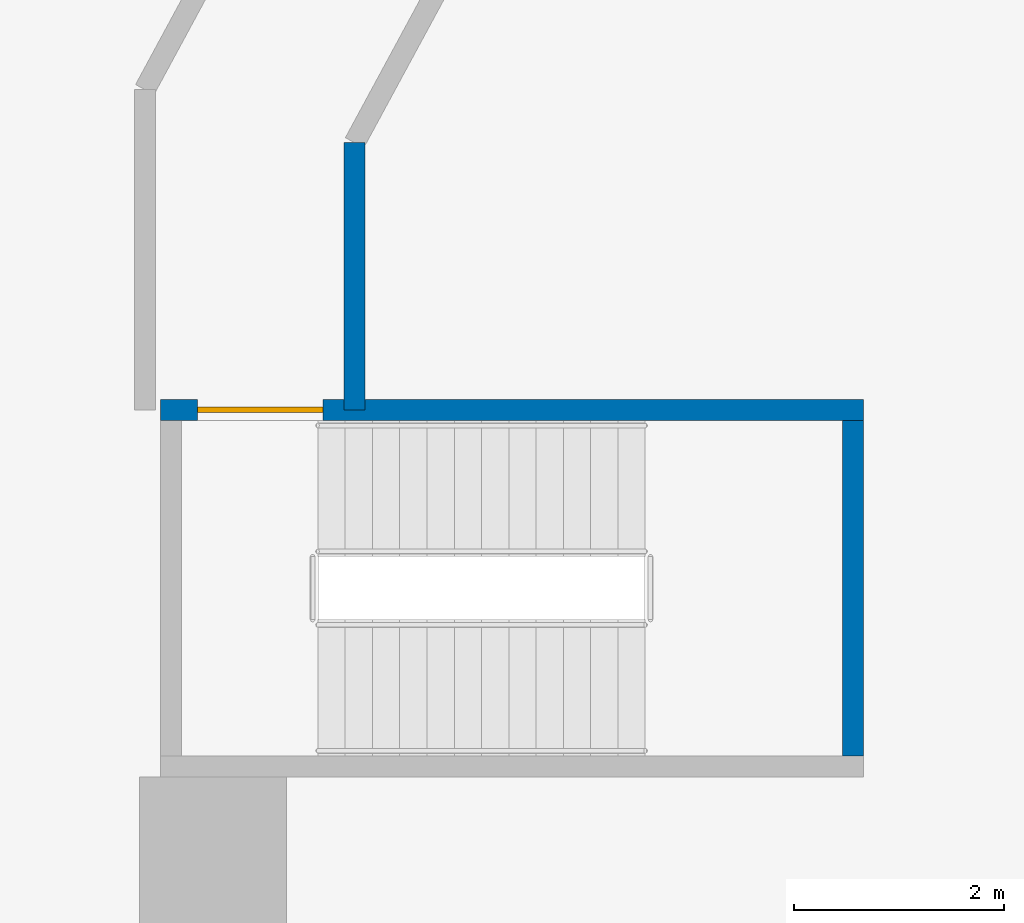
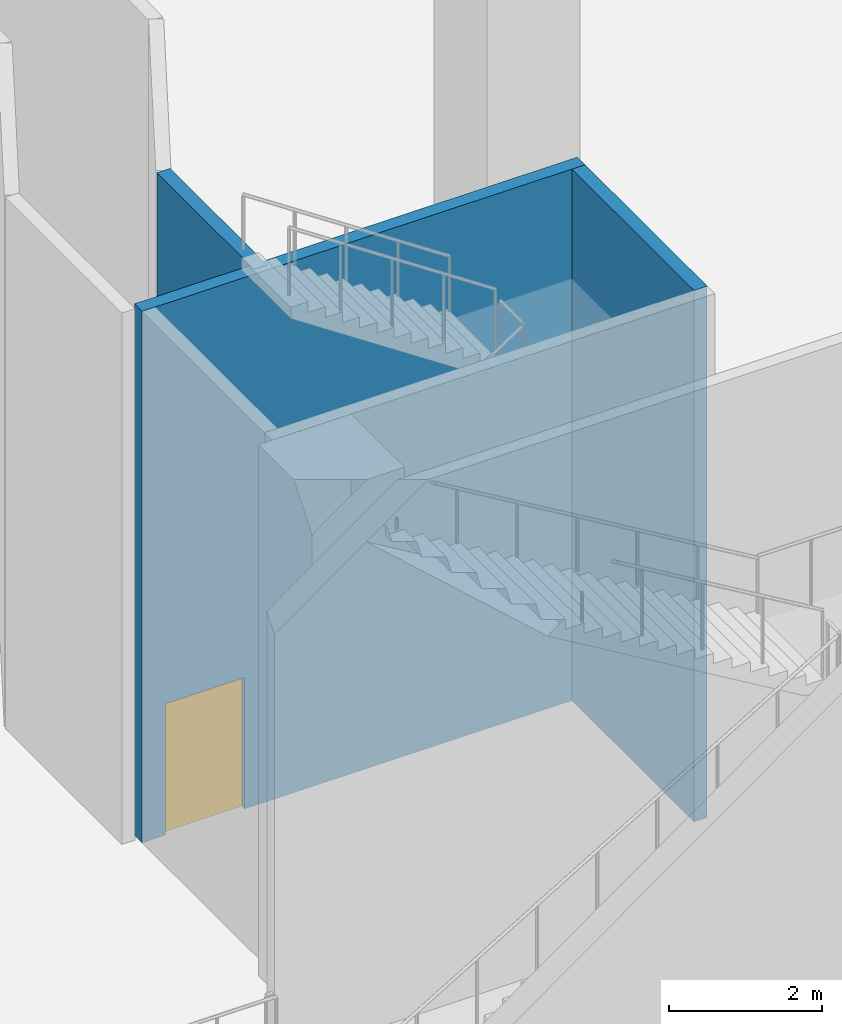
# One storey, part 26 of 54: 3 walls, 1 door, 1 opening.
"""IFC4 building model written with IfcOpenShell, lengths in metres."""

from ifc_helpers import new_model, si_unit, direction, frame, frame_2d, origin, place, context, subcontext, project, spatial, polyline, rectangle, outline, extrude, material, layer, layer_set, type_object, element, fill, save


model = new_model("IFC4")

# Units and contexts
model_context = context("Model", 3, precision=1e-05, world=origin(), true_north=direction((0.0, 1.0)))
body_context = subcontext(model_context, "Body", "Model", "MODEL_VIEW")
ifc_project = project(units=[si_unit("LENGTHUNIT", "METRE"), si_unit("AREAUNIT", "SQUARE_METRE"), si_unit("VOLUMEUNIT", "CUBIC_METRE"), si_unit("PLANEANGLEUNIT", "RADIAN"), si_unit("MASSUNIT", "GRAM", prefix="KILO")], contexts=[model_context])

# Site, building, storey
site_placement = place(None, origin())
site = spatial("IfcSite", under=ifc_project, at=site_placement, CompositionType="ELEMENT")
building_placement = place(site_placement, origin())
building = spatial("IfcBuilding", under=site, at=building_placement, Name="Tamarind Cross Interchange Tower", CompositionType="ELEMENT")
storey_placement = place(building_placement, origin())
storey = spatial("IfcBuildingStorey", under=building, at=storey_placement, Name="L00", CompositionType="ELEMENT", Elevation=0.0)

# Wall
ifc_material_1 = material(Name="Concrete C40", Category="concrete")
ifc_layer_1 = layer(ifc_material_1, 0.199951171875)
ifc_layer_set_1 = layer_set([ifc_layer_1], Name="Concrete C40")
wall_type_1 = type_object("IfcWallType", Name="Protected passage wall 200 EI 180", PredefinedType="PARTITIONING", material=ifc_layer_set_1)
wall_1_placement = place(storey_placement, frame((31.64990234375, -1.300048828125, 0.0), z_axis=(0.0, 0.0, 1.0), x_axis=(0.0, 1.0, 0.0)))
element("IfcWall", 1, at=wall_1_placement, inside=storey, type_object=wall_type_1, Name="L00 passage wall 123", PredefinedType="PARTITIONING", context=body_context, shape_type="SweptSolid", body=[
    extrude(rectangle(XDim=2.546875, YDim=0.199951171875, at=frame_2d((1.2734375, 0.0))), origin(), (0.0, 0.0, 1.0), 8.5),
])

# Wall, opening, door
ifc_layer_2 = layer(ifc_material_1, 0.199951171875)
ifc_layer_set_2 = layer_set([ifc_layer_2], Name="Concrete C40")
wall_type_2 = type_object("IfcWallType", Name="Stair shaft wall 200 mm Concrete C40", PredefinedType="SHEAR", material=ifc_layer_set_2)
wall_2_placement = place(storey_placement, frame((29.800048828125, -1.300048828125, 0.0), z_axis=(0.0, 0.0, 1.0), x_axis=(1.0, 0.0, 0.0)))
wall_2 = element("IfcWall", 2, at=wall_2_placement, inside=storey, type_object=wall_type_2, Name="Core wall CWL-L00-ST3-H", PredefinedType="SHEAR", context=body_context, shape_type="SweptSolid", body=[
    extrude(rectangle(XDim=6.699951171875, YDim=0.199951171875, at=frame_2d((3.35009765625, 0.0))), origin(), (0.0, 0.0, 1.0), 8.5),
])
opening_placement = place(wall_2_placement, frame((0.35009765625, 0.0, 0.0)))
opening = element("IfcOpeningElement", 3, at=opening_placement, cuts=wall_2, Name="Opening ST3L00", PredefinedType="OPENING", context=body_context, shape_type="SweptSolid", body=[
    extrude(rectangle(XDim=1.199951171875, YDim=2.10009765625, at=frame_2d((0.60009765625, 1.050048828125))), frame((0.0, 0.10986328125, 0.0), z_axis=(0.0, -1.0, 0.0), x_axis=(1.0, 0.0, 0.0)), (0.0, 0.0, 1.0), 0.219970703125),
])
ifc_material_2 = material(Name="Steel, fire-resisting", Category="steel")
door_type = type_object("IfcDoorType", Name="Core fire door 1200 x 2100 FD90", OperationType="SINGLE_SWING_LEFT", PredefinedType="DOOR", material=ifc_material_2)
door_placement = place(opening_placement, origin())
door = element("IfcDoor", 4, at=door_placement, inside=storey, type_object=door_type, Name="L00 stair door ST3", OperationType="SINGLE_SWING_LEFT", OverallHeight=2.10009765625, OverallWidth=1.199951171875, PredefinedType="DOOR", context=body_context, shape_type="SweptSolid", body=[
    extrude(rectangle(XDim=1.199951171875, YDim=2.10009765625, at=frame_2d((0.60009765625, 1.050048828125))), frame((0.0, 0.02490234375, 0.0), z_axis=(0.0, -1.0, 0.0), x_axis=(1.0, 0.0, 0.0)), (0.0, 0.0, 1.0), 0.050048828125),
])
fill(opening, door)

# Wall
wall_3_placement = place(storey_placement, origin())
element("IfcWall", 5, at=wall_3_placement, inside=storey, type_object=wall_type_2, Name="Core wall CWL-L00-ST3-CF", PredefinedType="SHEAR", context=body_context, shape_type="SweptSolid", body=[
    extrude(outline(polyline([(36.300048828125, -4.60009765625), (36.5, -4.60009765625), (36.5, -1.39990234375), (36.300048828125, -1.39990234375), (36.300048828125, -4.60009765625)])), origin(), (0.0, 0.0, 1.0), 8.5),
])

save(model, "model.ifc")
